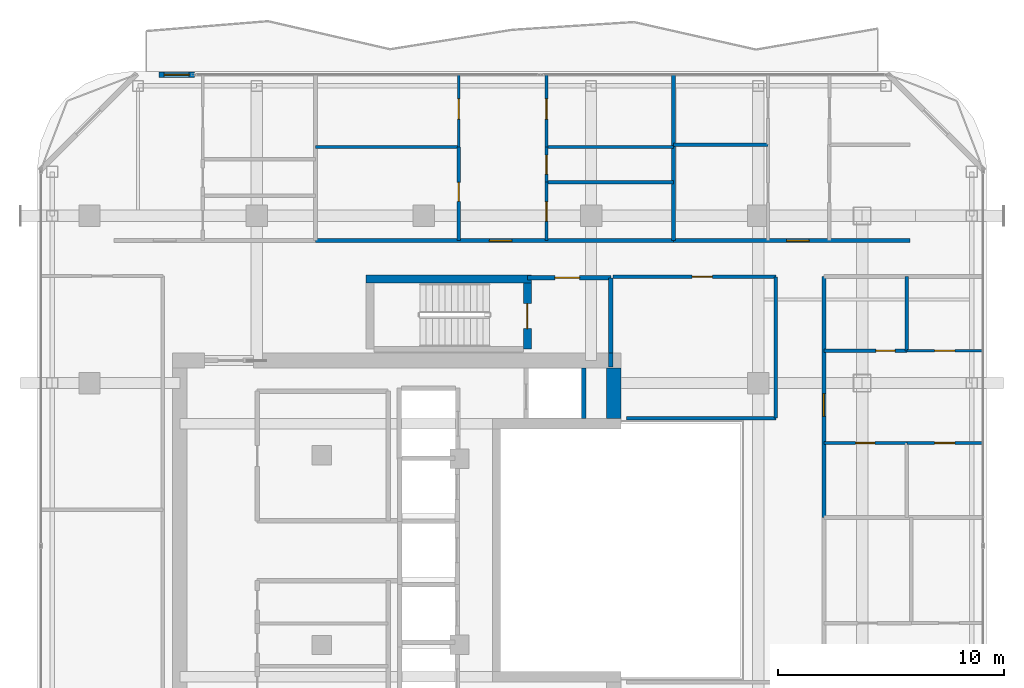
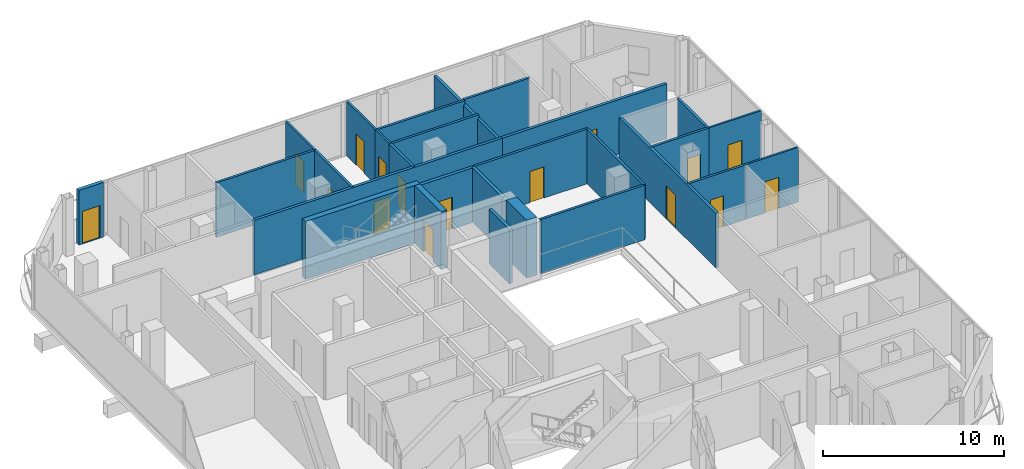
# One storey, part 21 of 25: 29 walls, 16 doors, 16 openings.
"""IFC4 building model written with IfcOpenShell, lengths in metres."""

from ifc_helpers import new_model, si_unit, direction, frame, frame_2d, origin, place, context, subcontext, project, spatial, rectangle, extrude, material, layer, layer_set, type_object, element, fill, save


model = new_model("IFC4")

# Units and contexts
model_context = context("Model", 3, precision=1e-05, world=origin(), true_north=direction((0.0, 1.0)))
body_context = subcontext(model_context, "Body", "Model", "MODEL_VIEW")
ifc_project = project(units=[si_unit("LENGTHUNIT", "METRE"), si_unit("AREAUNIT", "SQUARE_METRE"), si_unit("VOLUMEUNIT", "CUBIC_METRE"), si_unit("PLANEANGLEUNIT", "RADIAN"), si_unit("MASSUNIT", "GRAM", prefix="KILO")], contexts=[model_context])

# Site, building, storey
site_placement = place(None, origin())
site = spatial("IfcSite", under=ifc_project, at=site_placement, CompositionType="ELEMENT")
building_placement = place(site_placement, origin())
building = spatial("IfcBuilding", under=site, at=building_placement, Name="Khorvyn Point Tower", CompositionType="ELEMENT")
storey_placement = place(building_placement, frame((0.0, 0.0, 254.699951171875)))
storey = spatial("IfcBuildingStorey", under=building, at=storey_placement, Name="L62", CompositionType="ELEMENT", Elevation=254.699951171875)

# Wall, opening, door
ifc_material_1 = material(Name="Double acoustic gypsum on twin steel stud", Category="steel")
ifc_layer_1 = layer(ifc_material_1, 0.179931640625)
ifc_layer_set_1 = layer_set([ifc_layer_1], Name="Acoustic Double-Stud Apartment Demising Wall 180")
wall_type_1 = type_object("IfcWallType", Name="Acoustic Double-Stud Apartment Demising Wall 180", PredefinedType="PARTITIONING", material=ifc_layer_set_1)
wall_1_placement = place(storey_placement, frame((-4.79296875, 13.699951171875, 0.0), z_axis=(0.0, 0.0, 1.0), x_axis=(1.0, 0.0, 0.0)))
wall_1 = element("IfcWall", 1, at=wall_1_placement, inside=storey, type_object=wall_type_1, Name="Wall", PredefinedType="PARTITIONING", context=body_context, shape_type="SweptSolid", body=[
    extrude(rectangle(XDim=15.8349609375, YDim=0.179931640625, at=frame_2d((7.91748046875, 0.0))), origin(), (0.0, 0.0, 1.0), 3.679931640625),
])
opening_1_placement = place(wall_1_placement, frame((7.686279296875, 0.0, 0.0)))
opening_1 = element("IfcOpeningElement", 2, at=opening_1_placement, cuts=wall_1, Name="Opening ID-AP60", PredefinedType="OPENING", context=body_context, shape_type="SweptSolid", body=[
    extrude(rectangle(XDim=1.0, YDim=2.199951171875, at=frame_2d((0.5, 1.10009765625))), frame((0.0, 0.099853515625, 0.0), z_axis=(0.0, -1.0, 0.0), x_axis=(1.0, 0.0, 0.0)), (0.0, 0.0, 1.0), 0.199951171875),
])
ifc_material_2 = material(Name="Engineered hardwood fire-rated leaf", Category="wood")
door_type_1 = type_object("IfcDoorType", Name="Acoustic Solid-Core Timber Apartment Entrance Door 1000x2200", OperationType="NOTDEFINED", PredefinedType="DOOR", material=ifc_material_2)
door_1_placement = place(opening_1_placement, origin())
door_1 = element("IfcDoor", 3, at=door_1_placement, inside=storey, type_object=door_type_1, Name="Door", OperationType="SINGLE_SWING_LEFT", OverallHeight=2.199951171875, OverallWidth=1.0, PredefinedType="DOOR", context=body_context, shape_type="SweptSolid", body=[
    extrude(rectangle(XDim=1.0, YDim=2.199951171875, at=frame_2d((0.5, 1.10009765625))), frame((0.0, 0.02490234375, 0.0), z_axis=(0.0, -1.0, 0.0), x_axis=(1.0, 0.0, 0.0)), (0.0, 0.0, 1.0), 0.050048828125),
])
fill(opening_1, door_1)

wall_2_placement = place(storey_placement, frame((11.0419921875, 13.699951171875, 0.0), z_axis=(0.0, 0.0, 1.0), x_axis=(1.0, 0.0, 0.0)))
wall_2 = element("IfcWall", 4, at=wall_2_placement, inside=storey, type_object=wall_type_1, Name="Wall", PredefinedType="PARTITIONING", context=body_context, shape_type="SweptSolid", body=[
    extrude(rectangle(XDim=10.47802734375, YDim=0.179931640625, at=frame_2d((5.239013671875, 0.0))), origin(), (0.0, 0.0, 1.0), 3.679931640625),
])
opening_2_placement = place(wall_2_placement, frame((5.00830078125, 0.0, 0.0)))
opening_2 = element("IfcOpeningElement", 5, at=opening_2_placement, cuts=wall_2, Name="Opening ID-AP60", PredefinedType="OPENING", context=body_context, shape_type="SweptSolid", body=[
    extrude(rectangle(XDim=1.0, YDim=2.199951171875, at=frame_2d((0.5, 1.10009765625))), frame((0.0, 0.099853515625, 0.0), z_axis=(0.0, -1.0, 0.0), x_axis=(1.0, 0.0, 0.0)), (0.0, 0.0, 1.0), 0.199951171875),
])
door_2_placement = place(opening_2_placement, origin())
door_2 = element("IfcDoor", 6, at=door_2_placement, inside=storey, type_object=door_type_1, Name="Door", OperationType="SINGLE_SWING_LEFT", OverallHeight=2.199951171875, OverallWidth=1.0, PredefinedType="DOOR", context=body_context, shape_type="SweptSolid", body=[
    extrude(rectangle(XDim=1.0, YDim=2.199951171875, at=frame_2d((0.5, 1.10009765625))), frame((0.0, 0.02490234375, 0.0), z_axis=(0.0, -1.0, 0.0), x_axis=(1.0, 0.0, 0.0)), (0.0, 0.0, 1.0), 0.050048828125),
])
fill(opening_2, door_2)

wall_3_placement = place(storey_placement, frame((17.699951171875, 1.4541015625, 0.0), z_axis=(0.0, 0.0, 1.0), x_axis=(0.0, 1.0, 0.0)))
wall_3 = element("IfcWall", 7, at=wall_3_placement, inside=storey, type_object=wall_type_1, Name="Wall", PredefinedType="PARTITIONING", context=body_context, shape_type="SweptSolid", body=[
    extrude(rectangle(XDim=10.666015625, YDim=0.179931640625, at=frame_2d((5.3330078125, 0.0))), origin(), (0.0, 0.0, 1.0), 3.679931640625),
])
opening_3_placement = place(wall_3_placement, frame((4.473388671875, 0.0, 0.0)))
opening_3 = element("IfcOpeningElement", 8, at=opening_3_placement, cuts=wall_3, Name="Opening ID-AP60", PredefinedType="OPENING", context=body_context, shape_type="SweptSolid", body=[
    extrude(rectangle(XDim=1.0, YDim=2.199951171875, at=frame_2d((0.5, 1.10009765625))), frame((0.0, 0.099853515625, 0.0), z_axis=(0.0, -1.0, 0.0), x_axis=(1.0, 0.0, 0.0)), (0.0, 0.0, 1.0), 0.199951171875),
])
door_3_placement = place(opening_3_placement, origin())
door_3 = element("IfcDoor", 9, at=door_3_placement, inside=storey, type_object=door_type_1, Name="Door", OperationType="SINGLE_SWING_RIGHT", OverallHeight=2.199951171875, OverallWidth=1.0, PredefinedType="DOOR", context=body_context, shape_type="SweptSolid", body=[
    extrude(rectangle(XDim=1.0, YDim=2.199951171875, at=frame_2d((0.5, 1.10009765625))), frame((0.0, 0.02490234375, 0.0), z_axis=(0.0, -1.0, 0.0), x_axis=(1.0, 0.0, 0.0)), (0.0, 0.0, 1.0), 0.050048828125),
])
fill(opening_3, door_3)

# Wall
wall_4_placement = place(storey_placement, frame((11.0419921875, 13.699951171875, 0.0), z_axis=(0.0, 0.0, 1.0), x_axis=(0.0, 1.0, 0.0)))
element("IfcWall", 10, at=wall_4_placement, inside=storey, type_object=wall_type_1, Name="Wall", PredefinedType="PARTITIONING", context=body_context, shape_type="SweptSolid", body=[
    extrude(rectangle(XDim=7.330078125, YDim=0.179931640625, at=frame_2d((3.6650390625, 0.0))), origin(), (0.0, 0.0, 1.0), 3.420166015625),
])

# Wall, opening, door
ifc_material_3 = material(Name="Pale anodised aluminium rainscreen on steel stud", Category="steel")
ifc_layer_2 = layer(ifc_material_3, 0.239990234375)
ifc_layer_set_2 = layer_set([ifc_layer_2], Name="Anodised Aluminium Insulated Corner Spandrel Wall 240")
wall_type_2 = type_object("IfcWallType", Name="Anodised Aluminium Insulated Corner Spandrel Wall 240", PredefinedType="SOLIDWALL", material=ifc_layer_set_2)
wall_5_placement = place(storey_placement, frame((-11.73388671875, 21.050048828125, 0.0), z_axis=(0.0, 0.0, 1.0), x_axis=(1.0, 0.0, 0.0)))
wall_5 = element("IfcWall", 11, at=wall_5_placement, inside=storey, type_object=wall_type_2, Name="L62 North Outdoor Threshold Wall", PredefinedType="SOLIDWALL", context=body_context, shape_type="SweptSolid", body=[
    extrude(rectangle(XDim=1.579833984375, YDim=0.239990234375, at=frame_2d((0.7900390625, 0.0))), origin(), (0.0, 0.0, 1.0), 3.679931640625),
])
opening_4_placement = place(wall_5_placement, frame((0.239990234375, 0.0, 0.0)))
opening_4 = element("IfcOpeningElement", 12, at=opening_4_placement, cuts=wall_5, Name="Opening BD-1122", PredefinedType="OPENING", context=body_context, shape_type="SweptSolid", body=[
    extrude(rectangle(XDim=1.10009765625, YDim=2.199951171875, at=frame_2d((0.550048828125, 1.10009765625))), frame((0.0, 0.1298828125, 0.0), z_axis=(0.0, -1.0, 0.0), x_axis=(1.0, 0.0, 0.0)), (0.0, 0.0, 1.0), 0.260009765625),
])
ifc_material_4 = material(Name="Anodised aluminium 6063-T6 and laminated Low-E glass", Category="aluminium")
door_type_2 = type_object("IfcDoorType", Name="Glazed Balcony and Terrace Threshold Door 1100x2200", OperationType="NOTDEFINED", PredefinedType="DOOR", material=ifc_material_4)
door_4_placement = place(opening_4_placement, origin())
door_4 = element("IfcDoor", 13, at=door_4_placement, inside=storey, type_object=door_type_2, Name="L62 North Glazed Balcony Outdoor Door", OperationType="SINGLE_SWING_LEFT", OverallHeight=2.199951171875, OverallWidth=1.10009765625, PredefinedType="DOOR", context=body_context, shape_type="SweptSolid", body=[
    extrude(rectangle(XDim=1.10009765625, YDim=2.199951171875, at=frame_2d((0.550048828125, 1.10009765625))), frame((0.0, 0.02490234375, 0.0), z_axis=(0.0, -1.0, 0.0), x_axis=(1.0, 0.0, 0.0)), (0.0, 0.0, 1.0), 0.050048828125),
])
fill(opening_4, door_4)

# Wall
ifc_material_5 = material(Name="Concrete C40/50", Category="concrete")
ifc_layer_3 = layer(ifc_material_5, 0.64990234375)
ifc_layer_set_3 = layer_set([ifc_layer_3], Name="Concrete C40/50 Core Shear Wall 650")
wall_type_3 = type_object("IfcWallType", Name="Concrete C40/50 Core Shear Wall 650", PredefinedType="SHEAR", material=ifc_layer_set_3)
wall_6_placement = place(storey_placement, frame((8.39990234375, 5.824951171875, 0.0), z_axis=(0.0, 0.0, 1.0), x_axis=(0.0, 1.0, 0.0)))
element("IfcWall", 14, at=wall_6_placement, inside=storey, type_object=wall_type_3, Name="Wall", PredefinedType="SHEAR", context=body_context, shape_type="SweptSolid", body=[
    extrude(rectangle(XDim=2.25, YDim=0.64990234375, at=frame_2d((1.125, 0.0))), origin(), (0.0, 0.0, 1.0), 3.900146484375),
])

# Wall, opening, door
ifc_layer_4 = layer(ifc_material_5, 0.199951171875)
ifc_layer_set_4 = layer_set([ifc_layer_4], Name="Concrete C40/50 Fire-Lobby Compartment Wall 200")
wall_type_4 = type_object("IfcWallType", Name="Concrete C40/50 Fire-Lobby Compartment Wall 200", PredefinedType="SOLIDWALL", material=ifc_layer_set_4)
wall_7_placement = place(storey_placement, frame((4.580078125, 12.06005859375, 0.0), z_axis=(0.0, 0.0, 1.0), x_axis=(1.0, 0.0, 0.0)))
wall_7 = element("IfcWall", 15, at=wall_7_placement, inside=storey, type_object=wall_type_4, Name="Wall", PredefinedType="SOLIDWALL", context=body_context, shape_type="SweptSolid", body=[
    extrude(rectangle(XDim=3.699951171875, YDim=0.199951171875, at=frame_2d((1.85009765625, 0.0))), origin(), (0.0, 0.0, 1.0), 3.679931640625),
])
opening_5_placement = place(wall_7_placement, frame((1.21240234375, 0.0, 0.0)))
opening_5 = element("IfcOpeningElement", 16, at=opening_5_placement, cuts=wall_7, Name="Opening ID-FL90", PredefinedType="OPENING", context=body_context, shape_type="SweptSolid", body=[
    extrude(rectangle(XDim=1.10009765625, YDim=2.14990234375, at=frame_2d((0.550048828125, 1.074951171875))), frame((0.0, 0.10986328125, 0.0), z_axis=(0.0, -1.0, 0.0), x_axis=(1.0, 0.0, 0.0)), (0.0, 0.0, 1.0), 0.219970703125),
])
ifc_material_6 = material(Name="Galvanised powder-coated steel", Category="steel")
door_type_3 = type_object("IfcDoorType", Name="Fire-Rated Steel Lobby and Stair Door 1100x2150", OperationType="NOTDEFINED", PredefinedType="DOOR", material=ifc_material_6)
door_5_placement = place(opening_5_placement, origin())
door_5 = element("IfcDoor", 17, at=door_5_placement, inside=storey, type_object=door_type_3, Name="Door", OperationType="SINGLE_SWING_LEFT", OverallHeight=2.14990234375, OverallWidth=1.10009765625, PredefinedType="DOOR", context=body_context, shape_type="SweptSolid", body=[
    extrude(rectangle(XDim=1.10009765625, YDim=2.14990234375, at=frame_2d((0.550048828125, 1.074951171875))), frame((0.0, 0.02490234375, 0.0), z_axis=(0.0, -1.0, 0.0), x_axis=(1.0, 0.0, 0.0)), (0.0, 0.0, 1.0), 0.050048828125),
])
fill(opening_5, door_5)

# Walls
wall_8_placement = place(storey_placement, frame((8.280029296875, 8.72509765625, 0.0), z_axis=(0.0, 0.0, 1.0), x_axis=(0.0, 1.0, 0.0)))
element("IfcWall", 18, at=wall_8_placement, inside=storey, type_object=wall_type_4, Name="Wall", PredefinedType="SOLIDWALL", context=body_context, shape_type="SweptSolid", body=[
    extrude(rectangle(XDim=3.3349609375, YDim=0.199951171875, at=frame_2d((1.66748046875, 0.0))), origin(), (0.0, 0.0, 1.0), 3.679931640625),
])
wall_9_placement = place(storey_placement, frame((8.280029296875, 8.10009765625, 0.0), z_axis=(0.0, 0.0, 1.0), x_axis=(0.0, 1.0, 0.0)))
element("IfcWall", 19, at=wall_9_placement, inside=storey, type_object=wall_type_4, Name="Wall", PredefinedType="SOLIDWALL", context=body_context, shape_type="SweptSolid", body=[
    extrude(rectangle(XDim=0.625, YDim=0.199951171875, at=frame_2d((0.3125, 0.0))), origin(), (0.0, 0.0, 1.0), 3.679931640625),
])
ifc_layer_5 = layer(ifc_material_5, 0.35009765625)
ifc_layer_set_5 = layer_set([ifc_layer_5], Name="Concrete C40/50 Stair Shaft Structural Wall 350")
wall_type_5 = type_object("IfcWallType", Name="Concrete C40/50 Stair Shaft Structural Wall 350", PredefinedType="SHEAR", material=ifc_layer_set_5)
wall_10_placement = place(storey_placement, frame((-2.554931640625, 12.0, 0.0), z_axis=(0.0, 0.0, 1.0), x_axis=(1.0, 0.0, 0.0)))
element("IfcWall", 20, at=wall_10_placement, inside=storey, type_object=wall_type_5, Name="L62 ST-02 North Shaft Wall", PredefinedType="SHEAR", context=body_context, shape_type="SweptSolid", body=[
    extrude(rectangle(XDim=7.309814453125, YDim=0.35009765625, at=frame_2d((3.65478515625, 0.0))), origin(), (0.0, 0.0, 1.0), 3.900146484375),
])

# Wall, opening, door
wall_11_placement = place(storey_placement, frame((4.580078125, 11.824951171875, 0.0), z_axis=(0.0, 0.0, 1.0), x_axis=(0.0, -1.0, 0.0)))
wall_11 = element("IfcWall", 21, at=wall_11_placement, inside=storey, type_object=wall_type_5, Name="L62 ST-02 East Landing Door Wall", PredefinedType="SHEAR", context=body_context, shape_type="SweptSolid", body=[
    extrude(rectangle(XDim=2.925048828125, YDim=0.35009765625, at=frame_2d((1.46240234375, 0.0))), origin(), (0.0, 0.0, 1.0), 3.900146484375),
])
opening_6_placement = place(wall_11_placement, frame((0.91259765625, 0.0, 0.0)))
opening_6 = element("IfcOpeningElement", 22, at=opening_6_placement, cuts=wall_11, Name="Opening ID-FL90", PredefinedType="OPENING", context=body_context, shape_type="SweptSolid", body=[
    extrude(rectangle(XDim=1.10009765625, YDim=2.14990234375, at=frame_2d((0.550048828125, 1.074951171875))), frame((0.0, 0.18505859375, 0.0), z_axis=(0.0, -1.0, 0.0), x_axis=(1.0, 0.0, 0.0)), (0.0, 0.0, 1.0), 0.3701171875),
])
door_6_placement = place(opening_6_placement, origin())
door_6 = element("IfcDoor", 23, at=door_6_placement, inside=storey, type_object=door_type_3, Name="L62 ST-02 Smokeproof Landing Door", OperationType="SINGLE_SWING_LEFT", OverallHeight=2.14990234375, OverallWidth=1.10009765625, PredefinedType="DOOR", context=body_context, shape_type="SweptSolid", body=[
    extrude(rectangle(XDim=1.10009765625, YDim=2.14990234375, at=frame_2d((0.550048828125, 1.074951171875))), frame((0.0, 0.02490234375, 0.0), z_axis=(0.0, -1.0, 0.0), x_axis=(1.0, 0.0, 0.0)), (0.0, 0.0, 1.0), 0.050048828125),
])
fill(opening_6, door_6)

# Wall
ifc_layer_6 = layer(ifc_material_5, 0.199951171875)
ifc_layer_set_6 = layer_set([ifc_layer_6], Name="Concrete C40/50 Structural Hoistway and Stair Shaft Wall 200")
wall_type_6 = type_object("IfcWallType", Name="Concrete C40/50 Structural Hoistway and Stair Shaft Wall 200", PredefinedType="SHEAR", material=ifc_layer_set_6)
wall_12_placement = place(storey_placement, frame((7.074951171875, 5.824951171875, 0.0), z_axis=(0.0, 0.0, 1.0), x_axis=(0.0, 1.0, 0.0)))
element("IfcWall", 24, at=wall_12_placement, inside=storey, type_object=wall_type_6, Name="Wall", PredefinedType="SHEAR", context=body_context, shape_type="SweptSolid", body=[
    extrude(rectangle(XDim=2.25, YDim=0.199951171875, at=frame_2d((1.125, 0.0))), origin(), (0.0, 0.0, 1.0), 3.679931640625),
])

# Wall, opening, door
ifc_material_7 = material(Name="Gypsum plasterboard on steel stud", Category="steel")
ifc_layer_7 = layer(ifc_material_7, 0.1201171875)
ifc_layer_set_7 = layer_set([ifc_layer_7], Name="Gypsum Acoustic Stud Room Partition Wall 120")
wall_type_7 = type_object("IfcWallType", Name="Gypsum Acoustic Stud Room Partition Wall 120", PredefinedType="PARTITIONING", material=ifc_layer_set_7)
wall_13_placement = place(storey_placement, frame((1.541015625, 17.846923828125, 0.0), z_axis=(0.0, 0.0, 1.0), x_axis=(0.0, 1.0, 0.0)))
wall_13 = element("IfcWall", 25, at=wall_13_placement, inside=storey, type_object=wall_type_7, Name="Wall", PredefinedType="PARTITIONING", context=body_context, shape_type="SweptSolid", body=[
    extrude(rectangle(XDim=3.18310546875, YDim=0.1201171875, at=frame_2d((1.591552734375, 0.0))), origin(), (0.0, 0.0, 1.0), 3.679931640625),
])
opening_7_placement = place(wall_13_placement, frame((1.230712890625, 0.0, 0.0)))
opening_7 = element("IfcOpeningElement", 26, at=opening_7_placement, cuts=wall_13, Name="Opening ID-RM90", PredefinedType="OPENING", context=body_context, shape_type="SweptSolid", body=[
    extrude(rectangle(XDim=0.89990234375, YDim=2.10009765625, at=frame_2d((0.449951171875, 1.050048828125))), frame((0.0, 0.070068359375, 0.0), z_axis=(0.0, -1.0, 0.0), x_axis=(1.0, 0.0, 0.0)), (0.0, 0.0, 1.0), 0.14013671875),
])
ifc_material_8 = material(Name="Engineered oak veneer timber", Category="wood")
door_type_4 = type_object("IfcDoorType", Name="Flush Engineered Timber Room Door 900x2100", OperationType="NOTDEFINED", PredefinedType="DOOR", material=ifc_material_8)
door_7_placement = place(opening_7_placement, origin())
door_7 = element("IfcDoor", 27, at=door_7_placement, inside=storey, type_object=door_type_4, Name="Door", OperationType="SINGLE_SWING_LEFT", OverallHeight=2.10009765625, OverallWidth=0.89990234375, PredefinedType="DOOR", context=body_context, shape_type="SweptSolid", body=[
    extrude(rectangle(XDim=0.89990234375, YDim=2.10009765625, at=frame_2d((0.449951171875, 1.050048828125))), frame((0.0, 0.02490234375, 0.0), z_axis=(0.0, -1.0, 0.0), x_axis=(1.0, 0.0, 0.0)), (0.0, 0.0, 1.0), 0.050048828125),
])
fill(opening_7, door_7)

wall_14_placement = place(storey_placement, frame((5.428955078125, 16.2880859375, 0.0), z_axis=(0.0, 0.0, 1.0), x_axis=(0.0, 1.0, 0.0)))
wall_14 = element("IfcWall", 28, at=wall_14_placement, inside=storey, type_object=wall_type_7, Name="Wall", PredefinedType="PARTITIONING", context=body_context, shape_type="SweptSolid", body=[
    extrude(rectangle(XDim=1.558837890625, YDim=0.1201171875, at=frame_2d((0.779296875, 0.0))), origin(), (0.0, 0.0, 1.0), 3.679931640625),
])
opening_8_placement = place(wall_14_placement, frame((0.3544921875, 0.0, 0.0)))
opening_8 = element("IfcOpeningElement", 29, at=opening_8_placement, cuts=wall_14, Name="Opening ID-WC85", PredefinedType="OPENING", context=body_context, shape_type="SweptSolid", body=[
    extrude(rectangle(XDim=0.85009765625, YDim=2.10009765625, at=frame_2d((0.425048828125, 1.050048828125))), frame((0.0, 0.070068359375, 0.0), z_axis=(0.0, -1.0, 0.0), x_axis=(1.0, 0.0, 0.0)), (0.0, 0.0, 1.0), 0.14013671875),
])
ifc_material_9 = material(Name="High-pressure laminate on moisture-resistant core", Category="wood")
door_type_5 = type_object("IfcDoorType", Name="Moisture-Resistant Accessible Washroom Door 850x2100", OperationType="NOTDEFINED", PredefinedType="DOOR", material=ifc_material_9)
door_8_placement = place(opening_8_placement, origin())
door_8 = element("IfcDoor", 30, at=door_8_placement, inside=storey, type_object=door_type_5, Name="Door", OperationType="SINGLE_SWING_LEFT", OverallHeight=2.10009765625, OverallWidth=0.85009765625, PredefinedType="DOOR", context=body_context, shape_type="SweptSolid", body=[
    extrude(rectangle(XDim=0.85009765625, YDim=2.10009765625, at=frame_2d((0.425048828125, 1.050048828125))), frame((0.0, 0.02490234375, 0.0), z_axis=(0.0, -1.0, 0.0), x_axis=(1.0, 0.0, 0.0)), (0.0, 0.0, 1.0), 0.050048828125),
])
fill(opening_8, door_8)

wall_15_placement = place(storey_placement, frame((5.428955078125, 17.846923828125, 0.0), z_axis=(0.0, 0.0, 1.0), x_axis=(0.0, 1.0, 0.0)))
wall_15 = element("IfcWall", 31, at=wall_15_placement, inside=storey, type_object=wall_type_7, Name="Wall", PredefinedType="PARTITIONING", context=body_context, shape_type="SweptSolid", body=[
    extrude(rectangle(XDim=3.18310546875, YDim=0.1201171875, at=frame_2d((1.591552734375, 0.0))), origin(), (0.0, 0.0, 1.0), 3.679931640625),
])
opening_9_placement = place(wall_15_placement, frame((1.230712890625, 0.0, 0.0)))
opening_9 = element("IfcOpeningElement", 32, at=opening_9_placement, cuts=wall_15, Name="Opening ID-RM90", PredefinedType="OPENING", context=body_context, shape_type="SweptSolid", body=[
    extrude(rectangle(XDim=0.89990234375, YDim=2.10009765625, at=frame_2d((0.449951171875, 1.050048828125))), frame((0.0, 0.070068359375, 0.0), z_axis=(0.0, -1.0, 0.0), x_axis=(1.0, 0.0, 0.0)), (0.0, 0.0, 1.0), 0.14013671875),
])
door_9_placement = place(opening_9_placement, origin())
door_9 = element("IfcDoor", 33, at=door_9_placement, inside=storey, type_object=door_type_4, Name="Door", OperationType="SINGLE_SWING_RIGHT", OverallHeight=2.10009765625, OverallWidth=0.89990234375, PredefinedType="DOOR", context=body_context, shape_type="SweptSolid", body=[
    extrude(rectangle(XDim=0.89990234375, YDim=2.10009765625, at=frame_2d((0.449951171875, 1.050048828125))), frame((0.0, 0.02490234375, 0.0), z_axis=(0.0, -1.0, 0.0), x_axis=(1.0, 0.0, 0.0)), (0.0, 0.0, 1.0), 0.050048828125),
])
fill(opening_9, door_9)

wall_16_placement = place(storey_placement, frame((21.376953125, 4.74609375, 0.0), z_axis=(0.0, 0.0, 1.0), x_axis=(1.0, 0.0, 0.0)))
wall_16 = element("IfcWall", 34, at=wall_16_placement, inside=storey, type_object=wall_type_7, Name="Wall", PredefinedType="PARTITIONING", context=body_context, shape_type="SweptSolid", body=[
    extrude(rectangle(XDim=3.35302734375, YDim=0.1201171875, at=frame_2d((1.676513671875, 0.0))), origin(), (0.0, 0.0, 1.0), 3.679931640625),
])
opening_10_placement = place(wall_16_placement, frame((1.2265625, 0.0, 0.0)))
opening_10 = element("IfcOpeningElement", 35, at=opening_10_placement, cuts=wall_16, Name="Opening ID-RM90", PredefinedType="OPENING", context=body_context, shape_type="SweptSolid", body=[
    extrude(rectangle(XDim=0.89990234375, YDim=2.10009765625, at=frame_2d((0.449951171875, 1.050048828125))), frame((0.0, 0.070068359375, 0.0), z_axis=(0.0, -1.0, 0.0), x_axis=(1.0, 0.0, 0.0)), (0.0, 0.0, 1.0), 0.14013671875),
])
door_10_placement = place(opening_10_placement, origin())
door_10 = element("IfcDoor", 36, at=door_10_placement, inside=storey, type_object=door_type_4, Name="Door", OperationType="SINGLE_SWING_LEFT", OverallHeight=2.10009765625, OverallWidth=0.89990234375, PredefinedType="DOOR", context=body_context, shape_type="SweptSolid", body=[
    extrude(rectangle(XDim=0.89990234375, YDim=2.10009765625, at=frame_2d((0.449951171875, 1.050048828125))), frame((0.0, 0.02490234375, 0.0), z_axis=(0.0, -1.0, 0.0), x_axis=(1.0, 0.0, 0.0)), (0.0, 0.0, 1.0), 0.050048828125),
])
fill(opening_10, door_10)

wall_17_placement = place(storey_placement, frame((21.376953125, 8.827880859375, 0.0), z_axis=(0.0, 0.0, 1.0), x_axis=(1.0, 0.0, 0.0)))
wall_17 = element("IfcWall", 37, at=wall_17_placement, inside=storey, type_object=wall_type_7, Name="Wall", PredefinedType="PARTITIONING", context=body_context, shape_type="SweptSolid", body=[
    extrude(rectangle(XDim=3.35302734375, YDim=0.1201171875, at=frame_2d((1.676513671875, 0.0))), origin(), (0.0, 0.0, 1.0), 3.679931640625),
])
opening_11_placement = place(wall_17_placement, frame((1.2265625, 0.0, 0.0)))
opening_11 = element("IfcOpeningElement", 38, at=opening_11_placement, cuts=wall_17, Name="Opening ID-RM90", PredefinedType="OPENING", context=body_context, shape_type="SweptSolid", body=[
    extrude(rectangle(XDim=0.89990234375, YDim=2.10009765625, at=frame_2d((0.449951171875, 1.050048828125))), frame((0.0, 0.070068359375, 0.0), z_axis=(0.0, -1.0, 0.0), x_axis=(1.0, 0.0, 0.0)), (0.0, 0.0, 1.0), 0.14013671875),
])
door_11_placement = place(opening_11_placement, origin())
door_11 = element("IfcDoor", 39, at=door_11_placement, inside=storey, type_object=door_type_4, Name="Door", OperationType="SINGLE_SWING_RIGHT", OverallHeight=2.10009765625, OverallWidth=0.89990234375, PredefinedType="DOOR", context=body_context, shape_type="SweptSolid", body=[
    extrude(rectangle(XDim=0.89990234375, YDim=2.10009765625, at=frame_2d((0.449951171875, 1.050048828125))), frame((0.0, 0.02490234375, 0.0), z_axis=(0.0, -1.0, 0.0), x_axis=(1.0, 0.0, 0.0)), (0.0, 0.0, 1.0), 0.050048828125),
])
fill(opening_11, door_11)

ifc_material_10 = material(Name="Moisture-resistant gypsum and cement board", Category="gypsum")
ifc_layer_8 = layer(ifc_material_10, 0.14990234375)
ifc_layer_set_8 = layer_set([ifc_layer_8], Name="Moisture-Resistant Wet-Room Partition Wall 150")
wall_type_8 = type_object("IfcWallType", Name="Moisture-Resistant Wet-Room Partition Wall 150", PredefinedType="PARTITIONING", material=ifc_layer_set_8)
wall_18_placement = place(storey_placement, frame((8.360107421875, 12.10009765625, 0.0), z_axis=(0.0, 0.0, 1.0), x_axis=(1.0, 0.0, 0.0)))
wall_18 = element("IfcWall", 40, at=wall_18_placement, inside=storey, type_object=wall_type_8, Name="Wall", PredefinedType="PARTITIONING", context=body_context, shape_type="SweptSolid", body=[
    extrude(rectangle(XDim=7.219970703125, YDim=0.14990234375, at=frame_2d((3.60986328125, 0.0))), origin(), (0.0, 0.0, 1.0), 3.679931640625),
])
opening_12_placement = place(wall_18_placement, frame((3.512939453125, 0.0, 0.0)))
opening_12 = element("IfcOpeningElement", 41, at=opening_12_placement, cuts=wall_18, Name="Opening ID-RM90", PredefinedType="OPENING", context=body_context, shape_type="SweptSolid", body=[
    extrude(rectangle(XDim=0.89990234375, YDim=2.10009765625, at=frame_2d((0.449951171875, 1.050048828125))), frame((0.0, 0.0849609375, 0.0), z_axis=(0.0, -1.0, 0.0), x_axis=(1.0, 0.0, 0.0)), (0.0, 0.0, 1.0), 0.169921875),
])
door_12_placement = place(opening_12_placement, origin())
door_12 = element("IfcDoor", 42, at=door_12_placement, inside=storey, type_object=door_type_4, Name="Door", OperationType="SINGLE_SWING_RIGHT", OverallHeight=2.10009765625, OverallWidth=0.89990234375, PredefinedType="DOOR", context=body_context, shape_type="SweptSolid", body=[
    extrude(rectangle(XDim=0.89990234375, YDim=2.10009765625, at=frame_2d((0.449951171875, 1.050048828125))), frame((0.0, 0.02490234375, 0.0), z_axis=(0.0, -1.0, 0.0), x_axis=(1.0, 0.0, 0.0)), (0.0, 0.0, 1.0), 0.050048828125),
])
fill(opening_12, door_12)

wall_19_placement = place(storey_placement, frame((1.541015625, 13.699951171875, 0.0), z_axis=(0.0, 0.0, 1.0), x_axis=(0.0, 1.0, 0.0)))
wall_19 = element("IfcWall", 43, at=wall_19_placement, inside=storey, type_object=wall_type_8, Name="Wall", PredefinedType="PARTITIONING", context=body_context, shape_type="SweptSolid", body=[
    extrude(rectangle(XDim=4.14697265625, YDim=0.14990234375, at=frame_2d((2.073486328125, 0.0))), origin(), (0.0, 0.0, 1.0), 3.679931640625),
])
opening_13_placement = place(wall_19_placement, frame((1.736083984375, 0.0, 0.0)))
opening_13 = element("IfcOpeningElement", 44, at=opening_13_placement, cuts=wall_19, Name="Opening ID-WC85", PredefinedType="OPENING", context=body_context, shape_type="SweptSolid", body=[
    extrude(rectangle(XDim=0.85009765625, YDim=2.10009765625, at=frame_2d((0.425048828125, 1.050048828125))), frame((0.0, 0.0849609375, 0.0), z_axis=(0.0, -1.0, 0.0), x_axis=(1.0, 0.0, 0.0)), (0.0, 0.0, 1.0), 0.169921875),
])
door_13_placement = place(opening_13_placement, origin())
door_13 = element("IfcDoor", 45, at=door_13_placement, inside=storey, type_object=door_type_5, Name="Door", OperationType="SINGLE_SWING_RIGHT", OverallHeight=2.10009765625, OverallWidth=0.85009765625, PredefinedType="DOOR", context=body_context, shape_type="SweptSolid", body=[
    extrude(rectangle(XDim=0.85009765625, YDim=2.10009765625, at=frame_2d((0.425048828125, 1.050048828125))), frame((0.0, 0.02490234375, 0.0), z_axis=(0.0, -1.0, 0.0), x_axis=(1.0, 0.0, 0.0)), (0.0, 0.0, 1.0), 0.050048828125),
])
fill(opening_13, door_13)

wall_20_placement = place(storey_placement, frame((5.428955078125, 13.699951171875, 0.0), z_axis=(0.0, 0.0, 1.0), x_axis=(0.0, 1.0, 0.0)))
wall_20 = element("IfcWall", 46, at=wall_20_placement, inside=storey, type_object=wall_type_8, Name="Wall", PredefinedType="PARTITIONING", context=body_context, shape_type="SweptSolid", body=[
    extrude(rectangle(XDim=2.588134765625, YDim=0.14990234375, at=frame_2d((1.2939453125, 0.0))), origin(), (0.0, 0.0, 1.0), 3.679931640625),
])
opening_14_placement = place(wall_20_placement, frame((0.868896484375, 0.0, 0.0)))
opening_14 = element("IfcOpeningElement", 47, at=opening_14_placement, cuts=wall_20, Name="Opening ID-WC85", PredefinedType="OPENING", context=body_context, shape_type="SweptSolid", body=[
    extrude(rectangle(XDim=0.85009765625, YDim=2.10009765625, at=frame_2d((0.425048828125, 1.050048828125))), frame((0.0, 0.0849609375, 0.0), z_axis=(0.0, -1.0, 0.0), x_axis=(1.0, 0.0, 0.0)), (0.0, 0.0, 1.0), 0.169921875),
])
door_14_placement = place(opening_14_placement, origin())
door_14 = element("IfcDoor", 48, at=door_14_placement, inside=storey, type_object=door_type_5, Name="Door", OperationType="SINGLE_SWING_RIGHT", OverallHeight=2.10009765625, OverallWidth=0.85009765625, PredefinedType="DOOR", context=body_context, shape_type="SweptSolid", body=[
    extrude(rectangle(XDim=0.85009765625, YDim=2.10009765625, at=frame_2d((0.425048828125, 1.050048828125))), frame((0.0, 0.02490234375, 0.0), z_axis=(0.0, -1.0, 0.0), x_axis=(1.0, 0.0, 0.0)), (0.0, 0.0, 1.0), 0.050048828125),
])
fill(opening_14, door_14)

wall_21_placement = place(storey_placement, frame((17.699951171875, 8.827880859375, 0.0), z_axis=(0.0, 0.0, 1.0), x_axis=(1.0, 0.0, 0.0)))
wall_21 = element("IfcWall", 49, at=wall_21_placement, inside=storey, type_object=wall_type_8, Name="Wall", PredefinedType="PARTITIONING", context=body_context, shape_type="SweptSolid", body=[
    extrude(rectangle(XDim=3.677001953125, YDim=0.14990234375, at=frame_2d((1.83837890625, 0.0))), origin(), (0.0, 0.0, 1.0), 3.679931640625),
])
opening_15_placement = place(wall_21_placement, frame((2.308837890625, 0.0, 0.0)))
opening_15 = element("IfcOpeningElement", 50, at=opening_15_placement, cuts=wall_21, Name="Opening ID-WC85", PredefinedType="OPENING", context=body_context, shape_type="SweptSolid", body=[
    extrude(rectangle(XDim=0.85009765625, YDim=2.10009765625, at=frame_2d((0.425048828125, 1.050048828125))), frame((0.0, 0.0849609375, 0.0), z_axis=(0.0, -1.0, 0.0), x_axis=(1.0, 0.0, 0.0)), (0.0, 0.0, 1.0), 0.169921875),
])
door_15_placement = place(opening_15_placement, origin())
door_15 = element("IfcDoor", 51, at=door_15_placement, inside=storey, type_object=door_type_5, Name="Door", OperationType="SINGLE_SWING_LEFT", OverallHeight=2.10009765625, OverallWidth=0.85009765625, PredefinedType="DOOR", context=body_context, shape_type="SweptSolid", body=[
    extrude(rectangle(XDim=0.85009765625, YDim=2.10009765625, at=frame_2d((0.425048828125, 1.050048828125))), frame((0.0, 0.02490234375, 0.0), z_axis=(0.0, -1.0, 0.0), x_axis=(1.0, 0.0, 0.0)), (0.0, 0.0, 1.0), 0.050048828125),
])
fill(opening_15, door_15)

wall_22_placement = place(storey_placement, frame((17.699951171875, 4.74609375, 0.0), z_axis=(0.0, 0.0, 1.0), x_axis=(1.0, 0.0, 0.0)))
wall_22 = element("IfcWall", 52, at=wall_22_placement, inside=storey, type_object=wall_type_8, Name="Wall", PredefinedType="PARTITIONING", context=body_context, shape_type="SweptSolid", body=[
    extrude(rectangle(XDim=3.677001953125, YDim=0.14990234375, at=frame_2d((1.83837890625, 0.0))), origin(), (0.0, 0.0, 1.0), 3.679931640625),
])
opening_16_placement = place(wall_22_placement, frame((1.41357421875, 0.0, 0.0)))
opening_16 = element("IfcOpeningElement", 53, at=opening_16_placement, cuts=wall_22, Name="Opening ID-WC85", PredefinedType="OPENING", context=body_context, shape_type="SweptSolid", body=[
    extrude(rectangle(XDim=0.85009765625, YDim=2.10009765625, at=frame_2d((0.425048828125, 1.050048828125))), frame((0.0, 0.0849609375, 0.0), z_axis=(0.0, -1.0, 0.0), x_axis=(1.0, 0.0, 0.0)), (0.0, 0.0, 1.0), 0.169921875),
])
door_16_placement = place(opening_16_placement, origin())
door_16 = element("IfcDoor", 54, at=door_16_placement, inside=storey, type_object=door_type_5, Name="Door", OperationType="SINGLE_SWING_RIGHT", OverallHeight=2.10009765625, OverallWidth=0.85009765625, PredefinedType="DOOR", context=body_context, shape_type="SweptSolid", body=[
    extrude(rectangle(XDim=0.85009765625, YDim=2.10009765625, at=frame_2d((0.425048828125, 1.050048828125))), frame((0.0, 0.02490234375, 0.0), z_axis=(0.0, -1.0, 0.0), x_axis=(1.0, 0.0, 0.0)), (0.0, 0.0, 1.0), 0.050048828125),
])
fill(opening_16, door_16)

# Walls
wall_23_placement = place(storey_placement, frame((15.580078125, 5.85009765625, 0.0), z_axis=(0.0, 0.0, 1.0), x_axis=(0.0, 1.0, 0.0)))
element("IfcWall", 55, at=wall_23_placement, inside=storey, type_object=wall_type_8, Name="Wall", PredefinedType="PARTITIONING", context=body_context, shape_type="SweptSolid", body=[
    extrude(rectangle(XDim=6.25, YDim=0.14990234375, at=frame_2d((3.125, 0.0))), origin(), (0.0, 0.0, 1.0), 3.679931640625),
])
wall_24_placement = place(storey_placement, frame((8.9599609375, 5.85009765625, 0.0), z_axis=(0.0, 0.0, 1.0), x_axis=(1.0, 0.0, 0.0)))
element("IfcWall", 56, at=wall_24_placement, inside=storey, type_object=wall_type_8, Name="Wall", PredefinedType="PARTITIONING", context=body_context, shape_type="SweptSolid", body=[
    extrude(rectangle(XDim=6.6201171875, YDim=0.14990234375, at=frame_2d((3.31005859375, 0.0))), origin(), (0.0, 0.0, 1.0), 3.679931640625),
])
wall_25_placement = place(storey_placement, frame((-4.79296875, 17.846923828125, 0.0), z_axis=(0.0, 0.0, 1.0), x_axis=(1.0, 0.0, 0.0)))
element("IfcWall", 57, at=wall_25_placement, inside=storey, type_object=wall_type_8, Name="Wall", PredefinedType="PARTITIONING", context=body_context, shape_type="SweptSolid", body=[
    extrude(rectangle(XDim=6.333984375, YDim=0.14990234375, at=frame_2d((3.1669921875, 0.0))), origin(), (0.0, 0.0, 1.0), 3.679931640625),
])
for number, where, z_axis, x_axis, name in (
    (58, (5.428955078125, 16.2880859375, 0.0), (0.0, 0.0, 1.0), (1.0, 0.0, 0.0), "Wall"),
    (59, (5.428955078125, 17.846923828125, 0.0), (0.0, 0.0, 1.0), (1.0, 0.0, 0.0), "Wall"),
):
    element("IfcWall", number, at=place(storey_placement, frame(where, z_axis=z_axis, x_axis=x_axis)), inside=storey, type_object=wall_type_8, Name=name, PredefinedType="PARTITIONING", context=body_context, shape_type="SweptSolid", body=[
        extrude(rectangle(XDim=5.613037109375, YDim=0.14990234375, at=frame_2d((2.806640625, 0.0))), origin(), (0.0, 0.0, 1.0), 3.679931640625),
    ])
wall_26_placement = place(storey_placement, frame((11.0419921875, 17.949951171875, 0.0), z_axis=(0.0, 0.0, 1.0), x_axis=(1.0, 0.0, 0.0)))
element("IfcWall", 60, at=wall_26_placement, inside=storey, type_object=wall_type_8, Name="Wall", PredefinedType="PARTITIONING", context=body_context, shape_type="SweptSolid", body=[
    extrude(rectangle(XDim=4.19091796875, YDim=0.14990234375, at=frame_2d((2.095458984375, 0.0))), origin(), (0.0, 0.0, 1.0), 3.679931640625),
])
wall_27_placement = place(storey_placement, frame((21.376953125, 8.827880859375, 0.0), z_axis=(0.0, 0.0, 1.0), x_axis=(0.0, 1.0, 0.0)))
element("IfcWall", 61, at=wall_27_placement, inside=storey, type_object=wall_type_8, Name="Wall", PredefinedType="PARTITIONING", context=body_context, shape_type="SweptSolid", body=[
    extrude(rectangle(XDim=3.292236328125, YDim=0.14990234375, at=frame_2d((1.64599609375, 0.0))), origin(), (0.0, 0.0, 1.0), 3.679931640625),
])

save(model, "model.ifc")
